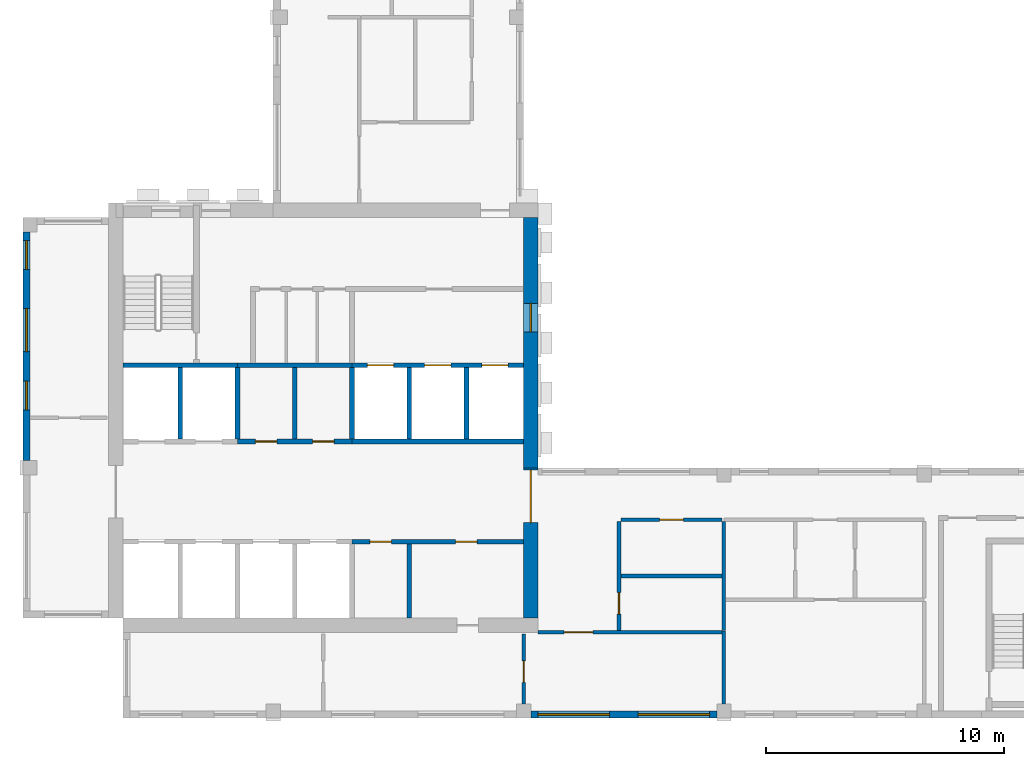
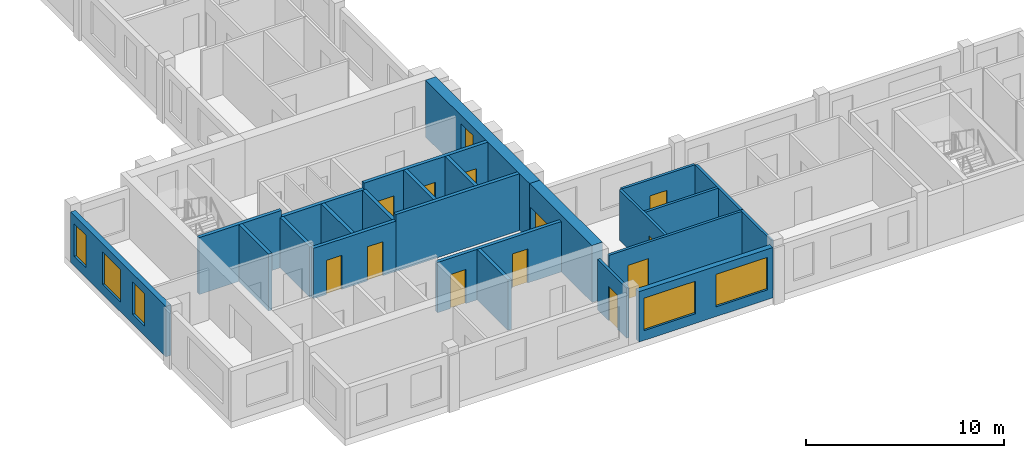
# One storey, part 2 of 10: 24 walls, 12 doors, 6 windows, 18 openings.
"""IFC4 building model written with IfcOpenShell, lengths in metres."""

from ifc_helpers import new_model, si_unit, direction, frame, frame_2d, origin, place, context, subcontext, project, spatial, rectangle, extrude, source, transform, mapped, material, layer, layer_set, type_object, element, fill, save


model = new_model("IFC4")

# Units and contexts
model_context = context("Model", 3, precision=1e-05, world=origin(), true_north=direction((0.0, 1.0)))
body_context = subcontext(model_context, "Body", "Model", "MODEL_VIEW")
ifc_project = project(units=[si_unit("LENGTHUNIT", "METRE"), si_unit("AREAUNIT", "SQUARE_METRE"), si_unit("VOLUMEUNIT", "CUBIC_METRE"), si_unit("PLANEANGLEUNIT", "RADIAN"), si_unit("MASSUNIT", "GRAM", prefix="KILO")], contexts=[model_context])

# Site, building, storey
site_placement = place(None, origin())
site = spatial("IfcSite", under=ifc_project, at=site_placement, CompositionType="ELEMENT")
building_placement = place(site_placement, origin())
building = spatial("IfcBuilding", under=site, at=building_placement, Name="Aurelian Terraces", CompositionType="ELEMENT")
storey_placement = place(building_placement, frame((0.0, 0.0, 358.0)))
storey = spatial("IfcBuildingStorey", under=building, at=storey_placement, Name="L85", CompositionType="ELEMENT", Elevation=358.0)

# Wall, opening, door
ifc_material_1 = material(Name="Gypsum board on steel studs", Category="steel")
ifc_layer_1 = layer(ifc_material_1, 0.15)
ifc_layer_set_1 = layer_set([ifc_layer_1], Name="Partition 150")
wall_type_1 = type_object("IfcWallType", Name="Partition 150", PredefinedType="PARTITIONING", material=ifc_layer_set_1)
wall_1_placement = place(storey_placement, frame((21.0, 3.525, 0.0), z_axis=(0.0, 0.0, 1.0), x_axis=(0.0, -1.0, 0.0)))
wall_1 = element("IfcWall", 1, at=wall_1_placement, inside=storey, type_object=wall_type_1, Name="Partition", PredefinedType="PARTITIONING", context=body_context, shape_type="SweptSolid", body=[
    extrude(rectangle(XDim=2.926, YDim=0.15, at=frame_2d((1.463, 0.0))), origin(), (0.0, 0.0, 1.0), 3.1),
])
shared_shape_1 = source(origin(), body_context, "Body", "SweptSolid", [
    extrude(rectangle(XDim=0.9, YDim=2.1, at=frame_2d((0.45, 1.05))), frame((0.0, 0.085, 0.0), z_axis=(0.0, -1.0, 0.0), x_axis=(1.0, 0.0, 0.0)), (0.0, 0.0, 1.0), 0.17),
])
opening_1_placement = place(wall_1_placement, frame((1.125, 0.0, 0.0)))
opening_1 = element("IfcOpeningElement", 2, at=opening_1_placement, cuts=wall_1, Name="Opening 785004", PredefinedType="OPENING", context=body_context, shape_type="MappedRepresentation", body=[
    mapped(shared_shape_1, transform((0.0, 0.0, 0.0), scale=1.0)),
])
ifc_material_2 = material(Name="Timber door leaf", Category="wood")
door_type_1 = type_object("IfcDoorType", Name="Room door 900x2100 right", OperationType="SINGLE_SWING_RIGHT", PredefinedType="DOOR", material=ifc_material_2)
shared_shape_2 = source(origin(), body_context, "Body", "SweptSolid", [
    extrude(rectangle(XDim=0.9, YDim=2.1, at=frame_2d((0.45, 1.05))), frame((0.0, 0.025, 0.0), z_axis=(0.0, -1.0, 0.0), x_axis=(1.0, 0.0, 0.0)), (0.0, 0.0, 1.0), 0.05),
])
door_1_placement = place(opening_1_placement, origin())
door_1 = element("IfcDoor", 3, at=door_1_placement, inside=storey, type_object=door_type_1, Name="Door 785004", OperationType="SINGLE_SWING_RIGHT", OverallHeight=2.1, OverallWidth=0.9, PredefinedType="DOOR", context=body_context, shape_type="MappedRepresentation", body=[
    mapped(shared_shape_2, transform((0.0, 0.0, 0.0), scale=1.0)),
])
fill(opening_1, door_1)

ifc_material_3 = material(Name="Concrete fc' 55 MPa", Category="concrete")
ifc_layer_2 = layer(ifc_material_3, 0.6)
ifc_layer_set_2 = layer_set([ifc_layer_2], Name="CORE WALL 600 FC55")
wall_type_2 = type_object("IfcWallType", Name="CORE WALL 600 FC55", PredefinedType="SHEAR", material=ifc_layer_set_2)
shared_shape_3 = source(origin(), body_context, "Body", "SweptSolid", [
    extrude(rectangle(XDim=6.3, YDim=0.6, at=frame_2d((3.15, 0.0))), origin(), (0.0, 0.0, 1.0), 3.5),
])
wall_2_placement = place(storey_placement, frame((21.3, 4.2, 0.0), z_axis=(0.0, 0.0, 1.0), x_axis=(0.0, 1.0, 0.0)))
wall_2 = element("IfcWall", 4, at=wall_2_placement, inside=storey, type_object=wall_type_2, Name="Core wall E L85", PredefinedType="SHEAR", context=body_context, shape_type="MappedRepresentation", body=[
    mapped(shared_shape_3, transform((0.0, 0.0, 0.0), scale=1.0)),
])
shared_shape_4 = source(origin(), body_context, "Body", "SweptSolid", [
    extrude(rectangle(XDim=2.2, YDim=2.1, at=frame_2d((1.1, 1.05))), frame((0.0, 0.31, 0.0), z_axis=(0.0, -1.0, 0.0), x_axis=(1.0, 0.0, 0.0)), (0.0, 0.0, 1.0), 0.62),
])
opening_2_placement = place(wall_2_placement, frame((4.0, 0.0, 0.0)))
opening_2 = element("IfcOpeningElement", 5, at=opening_2_placement, cuts=wall_2, Name="Opening 68824", PredefinedType="OPENING", context=body_context, shape_type="MappedRepresentation", body=[
    mapped(shared_shape_4, transform((0.0, 0.0, 0.0), scale=1.0)),
])
ifc_material_4 = material(Name="Steel door leaf", Category="steel")
door_type_2 = type_object("IfcDoorType", Name="Core double door 2200x2100", OperationType="DOUBLE_DOOR_SINGLE_SWING", PredefinedType="DOOR", material=ifc_material_4)
shared_shape_5 = source(origin(), body_context, "Body", "SweptSolid", [
    extrude(rectangle(XDim=2.2, YDim=2.1, at=frame_2d((1.1, 1.05))), frame((0.0, 0.025, 0.0), z_axis=(0.0, -1.0, 0.0), x_axis=(1.0, 0.0, 0.0)), (0.0, 0.0, 1.0), 0.05),
])
door_2_placement = place(opening_2_placement, origin())
door_2 = element("IfcDoor", 6, at=door_2_placement, inside=storey, type_object=door_type_2, Name="Core door 68824", OperationType="DOUBLE_DOOR_SINGLE_SWING", OverallHeight=2.1, OverallWidth=2.2, PredefinedType="DOOR", context=body_context, shape_type="MappedRepresentation", body=[
    mapped(shared_shape_5, transform((0.0, 0.0, 0.0), scale=1.0)),
])
fill(opening_2, door_2)

# Wall, opening, window
shared_shape_6 = source(origin(), body_context, "Body", "SweptSolid", [
    extrude(rectangle(XDim=10.5, YDim=0.6, at=frame_2d((5.25, 0.0))), origin(), (0.0, 0.0, 1.0), 3.5),
])
wall_3_placement = place(storey_placement, frame((21.3, 10.5, 0.0), z_axis=(0.0, 0.0, 1.0), x_axis=(0.0, 1.0, 0.0)))
wall_3 = element("IfcWall", 7, at=wall_3_placement, inside=storey, type_object=wall_type_2, Name="Core wall E L85 exposed", PredefinedType="SHEAR", context=body_context, shape_type="MappedRepresentation", body=[
    mapped(shared_shape_6, transform((0.0, 0.0, 0.0), scale=1.0)),
])
shared_shape_7 = source(origin(), body_context, "Body", "SweptSolid", [
    extrude(rectangle(XDim=1.2, YDim=2.4, at=frame_2d((0.6, 1.2))), frame((0.0, 0.31, 0.0), z_axis=(0.0, -1.0, 0.0), x_axis=(1.0, 0.0, 0.0)), (0.0, 0.0, 1.0), 0.62),
])
opening_3_placement = place(wall_3_placement, frame((5.7, 0.0, 0.6)))
opening_3 = element("IfcOpeningElement", 8, at=opening_3_placement, cuts=wall_3, Name="Opening W-CL", PredefinedType="OPENING", context=body_context, shape_type="MappedRepresentation", body=[
    mapped(shared_shape_7, transform((0.0, 0.0, 0.0), scale=1.0)),
])
ifc_material_5 = material(Name="Fire-resisting glazing", Category="glass")
window_type_1 = type_object("IfcWindowType", Name="Core lobby window 1200x2400", PartitioningType="SINGLE_PANEL", PredefinedType="WINDOW", material=ifc_material_5)
shared_shape_8 = source(origin(), body_context, "Body", "SweptSolid", [
    extrude(rectangle(XDim=1.2, YDim=2.4, at=frame_2d((0.6, 1.2))), frame((0.0, 0.03, 0.0), z_axis=(0.0, -1.0, 0.0), x_axis=(1.0, 0.0, 0.0)), (0.0, 0.0, 1.0), 0.06),
])
window_1_placement = place(opening_3_placement, origin())
window_1 = element("IfcWindow", 9, at=window_1_placement, inside=storey, type_object=window_type_1, Name="Lobby window L85 E64", OverallHeight=2.4, OverallWidth=1.2, PartitioningType="SINGLE_PANEL", PredefinedType="WINDOW", context=body_context, shape_type="MappedRepresentation", body=[
    mapped(shared_shape_8, transform((0.0, 0.0, 0.0), scale=1.0)),
])
fill(opening_3, window_1)

# Wall, openings, windows
ifc_material_6 = material(Name="Terracotta rainscreen cladding", Category="masonry")
ifc_layer_3 = layer(ifc_material_6, 0.3)
ifc_layer_set_3 = layer_set([ifc_layer_3], Name="EW-300")
wall_type_3 = type_object("IfcWallType", Name="EW-300", PredefinedType="STANDARD", material=ifc_layer_set_3)
shared_shape_9 = source(origin(), body_context, "Body", "SweptSolid", [
    extrude(rectangle(XDim=7.8, YDim=0.3, at=frame_2d((3.9, 0.0))), origin(), (0.0, 0.0, 1.0), 3.1),
])
wall_4_placement = place(storey_placement, frame((21.3, 0.15, 0.0), z_axis=(0.0, 0.0, 1.0), x_axis=(1.0, 0.0, 0.0)))
wall_4 = element("IfcWall", 10, at=wall_4_placement, inside=storey, type_object=wall_type_3, Name="External wall L85 F01.3", PredefinedType="STANDARD", context=body_context, shape_type="MappedRepresentation", body=[
    mapped(shared_shape_9, transform((0.0, 0.0, 0.0), scale=1.0)),
])
shared_shape_10 = source(origin(), body_context, "Body", "SweptSolid", [
    extrude(rectangle(XDim=3.0, YDim=2.0, at=frame_2d((1.5, 1.0))), frame((0.0, 0.16, 0.0), z_axis=(0.0, -1.0, 0.0), x_axis=(1.0, 0.0, 0.0)), (0.0, 0.0, 1.0), 0.32),
])
opening_4_placement = place(wall_4_placement, frame((0.3, 0.0, 0.6)))
opening_4 = element("IfcOpeningElement", 11, at=opening_4_placement, cuts=wall_4, Name="Opening W3020", PredefinedType="OPENING", context=body_context, shape_type="MappedRepresentation", body=[
    mapped(shared_shape_10, transform((0.0, 0.0, 0.0), scale=1.0)),
])
opening_5_placement = place(wall_4_placement, frame((4.5, 0.0, 0.6)))
opening_5 = element("IfcOpeningElement", 12, at=opening_5_placement, cuts=wall_4, Name="Opening W3020", PredefinedType="OPENING", context=body_context, shape_type="MappedRepresentation", body=[
    mapped(shared_shape_10, transform((0.0, 0.0, 0.0), scale=1.0)),
])
ifc_material_7 = material(Name="Clear glazing", Category="glass")
window_type_2 = type_object("IfcWindowType", Name="W-3000x2000", PartitioningType="SINGLE_PANEL", PredefinedType="WINDOW", material=ifc_material_7)
shared_shape_11 = source(origin(), body_context, "Body", "SweptSolid", [
    extrude(rectangle(XDim=3.0, YDim=2.0, at=frame_2d((1.5, 1.0))), frame((0.0, 0.03, 0.0), z_axis=(0.0, -1.0, 0.0), x_axis=(1.0, 0.0, 0.0)), (0.0, 0.0, 1.0), 0.06),
])
window_2_placement = place(opening_4_placement, origin())
window_2 = element("IfcWindow", 13, at=window_2_placement, inside=storey, type_object=window_type_2, Name="Window L85 L85-F01-03-0", OverallHeight=2.0, OverallWidth=3.0, PartitioningType="SINGLE_PANEL", PredefinedType="WINDOW", context=body_context, shape_type="MappedRepresentation", body=[
    mapped(shared_shape_11, transform((0.0, 0.0, 0.0), scale=1.0)),
])
fill(opening_4, window_2)
window_3_placement = place(opening_5_placement, origin())
window_3 = element("IfcWindow", 14, at=window_3_placement, inside=storey, type_object=window_type_2, Name="Window L85 L85-F01-03-1", OverallHeight=2.0, OverallWidth=3.0, PartitioningType="SINGLE_PANEL", PredefinedType="WINDOW", context=body_context, shape_type="MappedRepresentation", body=[
    mapped(shared_shape_11, transform((0.0, 0.0, 0.0), scale=1.0)),
])
fill(opening_5, window_3)

shared_shape_12 = source(origin(), body_context, "Body", "SweptSolid", [
    extrude(rectangle(XDim=9.6, YDim=0.3, at=frame_2d((4.8, 0.0))), origin(), (0.0, 0.0, 1.0), 3.1),
])
wall_5_placement = place(storey_placement, frame((0.15, 20.4, 0.0), z_axis=(0.0, 0.0, 1.0), x_axis=(0.0, -1.0, 0.0)))
wall_5 = element("IfcWall", 15, at=wall_5_placement, inside=storey, type_object=wall_type_3, Name="External wall L85 F12.22", PredefinedType="STANDARD", context=body_context, shape_type="MappedRepresentation", body=[
    mapped(shared_shape_12, transform((0.0, 0.0, 0.0), scale=1.0)),
])
shared_shape_13 = source(origin(), body_context, "Body", "SweptSolid", [
    extrude(rectangle(XDim=1.2, YDim=2.0, at=frame_2d((0.6, 1.0))), frame((0.0, 0.16, 0.0), z_axis=(0.0, -1.0, 0.0), x_axis=(1.0, 0.0, 0.0)), (0.0, 0.0, 1.0), 0.32),
])
opening_6_placement = place(wall_5_placement, frame((0.375, 0.0, 0.6)))
opening_6 = element("IfcOpeningElement", 16, at=opening_6_placement, cuts=wall_5, Name="Opening W1220", PredefinedType="OPENING", context=body_context, shape_type="MappedRepresentation", body=[
    mapped(shared_shape_13, transform((0.0, 0.0, 0.0), scale=1.0)),
])
shared_shape_14 = source(origin(), body_context, "Body", "SweptSolid", [
    extrude(rectangle(XDim=1.8, YDim=2.0, at=frame_2d((0.9, 1.0))), frame((0.0, 0.16, 0.0), z_axis=(0.0, -1.0, 0.0), x_axis=(1.0, 0.0, 0.0)), (0.0, 0.0, 1.0), 0.32),
])
opening_7_placement = place(wall_5_placement, frame((3.225, 0.0, 0.6)))
opening_7 = element("IfcOpeningElement", 17, at=opening_7_placement, cuts=wall_5, Name="Opening W1820", PredefinedType="OPENING", context=body_context, shape_type="MappedRepresentation", body=[
    mapped(shared_shape_14, transform((0.0, 0.0, 0.0), scale=1.0)),
])
opening_8_placement = place(wall_5_placement, frame((6.2688, 0.0, 0.6)))
opening_8 = element("IfcOpeningElement", 18, at=opening_8_placement, cuts=wall_5, Name="Opening W1220", PredefinedType="OPENING", context=body_context, shape_type="MappedRepresentation", body=[
    mapped(shared_shape_13, transform((0.0, 0.0, 0.0), scale=1.0)),
])
window_type_3 = type_object("IfcWindowType", Name="W-1200x2000", PartitioningType="SINGLE_PANEL", PredefinedType="WINDOW", material=ifc_material_7)
shared_shape_15 = source(origin(), body_context, "Body", "SweptSolid", [
    extrude(rectangle(XDim=1.2, YDim=2.0, at=frame_2d((0.6, 1.0))), frame((0.0, 0.03, 0.0), z_axis=(0.0, -1.0, 0.0), x_axis=(1.0, 0.0, 0.0)), (0.0, 0.0, 1.0), 0.06),
])
window_4_placement = place(opening_6_placement, origin())
window_4 = element("IfcWindow", 19, at=window_4_placement, inside=storey, type_object=window_type_3, Name="Window L85 L85-F12-22-0", OverallHeight=2.0, OverallWidth=1.2, PartitioningType="SINGLE_PANEL", PredefinedType="WINDOW", context=body_context, shape_type="MappedRepresentation", body=[
    mapped(shared_shape_15, transform((0.0, 0.0, 0.0), scale=1.0)),
])
fill(opening_6, window_4)
window_5_placement = place(opening_8_placement, origin())
window_5 = element("IfcWindow", 20, at=window_5_placement, inside=storey, type_object=window_type_3, Name="Window L85 L85-F12-22-G0-56", OverallHeight=2.0, OverallWidth=1.2, PartitioningType="SINGLE_PANEL", PredefinedType="WINDOW", context=body_context, shape_type="MappedRepresentation", body=[
    mapped(shared_shape_15, transform((0.0, 0.0, 0.0), scale=1.0)),
])
fill(opening_8, window_5)
window_type_4 = type_object("IfcWindowType", Name="W-1800x2000", PartitioningType="SINGLE_PANEL", PredefinedType="WINDOW", material=ifc_material_7)
shared_shape_16 = source(origin(), body_context, "Body", "SweptSolid", [
    extrude(rectangle(XDim=1.8, YDim=2.0, at=frame_2d((0.9, 1.0))), frame((0.0, 0.03, 0.0), z_axis=(0.0, -1.0, 0.0), x_axis=(1.0, 0.0, 0.0)), (0.0, 0.0, 1.0), 0.06),
])
window_6_placement = place(opening_7_placement, origin())
window_6 = element("IfcWindow", 21, at=window_6_placement, inside=storey, type_object=window_type_4, Name="Window L85 L85-F12-22-1", OverallHeight=2.0, OverallWidth=1.8, PartitioningType="SINGLE_PANEL", PredefinedType="WINDOW", context=body_context, shape_type="MappedRepresentation", body=[
    mapped(shared_shape_16, transform((0.0, 0.0, 0.0), scale=1.0)),
])
fill(opening_7, window_6)

# Walls
ifc_material_8 = material(Name="Concrete fc' 40 MPa", Category="concrete")
ifc_layer_4 = layer(ifc_material_8, 0.2)
ifc_layer_set_4 = layer_set([ifc_layer_4], Name="Lift shaft wall 200")
wall_type_4 = type_object("IfcWallType", Name="Lift shaft wall 200", PredefinedType="SOLIDWALL", material=ifc_layer_set_4)
shared_shape_17 = source(origin(), body_context, "Body", "SweptSolid", [
    extrude(rectangle(XDim=3.0, YDim=0.2, at=frame_2d((1.5, 0.0))), origin(), (0.0, 0.0, 1.0), 3.1),
])
for number, where, z_axis, x_axis, name in (
    (22, (9.0, 11.7, 0.0), (0.0, 0.0, 1.0), (0.0, 1.0, 0.0), "L85 core wall CD-B2"),
    (23, (13.8, 11.7, 0.0), (0.0, 0.0, 1.0), (0.0, 1.0, 0.0), "L85 core wall CD-B4"),
):
    element("IfcWall", number, at=place(storey_placement, frame(where, z_axis=z_axis, x_axis=x_axis)), inside=storey, type_object=wall_type_4, Name=name, PredefinedType="SOLIDWALL", context=body_context, shape_type="MappedRepresentation", body=[
        mapped(shared_shape_17, transform((0.0, 0.0, 0.0), scale=1.0)),
    ])
shared_shape_18 = source(origin(), body_context, "Body", "SweptSolid", [
    extrude(rectangle(XDim=3.0, YDim=0.2, at=frame_2d((1.5, 0.0))), origin(), (0.0, 0.0, 1.0), 3.5),
])
for number, where, z_axis, x_axis, name in (
    (24, (6.6, 11.7, 0.0), (0.0, 0.0, 1.0), (0.0, 1.0, 0.0), "L85 core wall CD-B1"),
    (25, (16.2, 11.7, 0.0), (0.0, 0.0, 1.0), (0.0, 1.0, 0.0), "L85 core wall CD-B5"),
    (26, (18.6, 11.7, 0.0), (0.0, 0.0, 1.0), (0.0, 1.0, 0.0), "L85 core wall CD-B6"),
):
    element("IfcWall", number, at=place(storey_placement, frame(where, z_axis=z_axis, x_axis=x_axis)), inside=storey, type_object=wall_type_4, Name=name, PredefinedType="SOLIDWALL", context=body_context, shape_type="MappedRepresentation", body=[
        mapped(shared_shape_18, transform((0.0, 0.0, 0.0), scale=1.0)),
    ])
shared_shape_19 = source(origin(), body_context, "Body", "SweptSolid", [
    extrude(rectangle(XDim=4.8, YDim=0.2, at=frame_2d((2.4, 0.0))), origin(), (0.0, 0.0, 1.0), 3.5),
])
wall_6_placement = place(storey_placement, frame((4.2, 14.8, 0.0), z_axis=(0.0, 0.0, 1.0), x_axis=(1.0, 0.0, 0.0)))
element("IfcWall", 27, at=wall_6_placement, inside=storey, type_object=wall_type_4, Name="L85 core wall CF-BB1", PredefinedType="SOLIDWALL", context=body_context, shape_type="MappedRepresentation", body=[
    mapped(shared_shape_19, transform((0.0, 0.0, 0.0), scale=1.0)),
])

# Wall, openings, doors
shared_shape_20 = source(origin(), body_context, "Body", "SweptSolid", [
    extrude(rectangle(XDim=4.8, YDim=0.2, at=frame_2d((2.4, 0.0))), origin(), (0.0, 0.0, 1.0), 3.1),
])
wall_7_placement = place(storey_placement, frame((9.0, 11.6, 0.0), z_axis=(0.0, 0.0, 1.0), x_axis=(1.0, 0.0, 0.0)))
wall_7 = element("IfcWall", 28, at=wall_7_placement, inside=storey, type_object=wall_type_4, Name="L85 core wall CF-BF2", PredefinedType="SOLIDWALL", context=body_context, shape_type="MappedRepresentation", body=[
    mapped(shared_shape_20, transform((0.0, 0.0, 0.0), scale=1.0)),
])
shared_shape_21 = source(origin(), body_context, "Body", "SweptSolid", [
    extrude(rectangle(XDim=0.9, YDim=2.1, at=frame_2d((0.45, 1.05))), frame((0.0, 0.11, 0.0), z_axis=(0.0, -1.0, 0.0), x_axis=(1.0, 0.0, 0.0)), (0.0, 0.0, 1.0), 0.22),
])
opening_9_placement = place(wall_7_placement, frame((0.75, 0.0, 0.0)))
opening_9 = element("IfcOpeningElement", 29, at=opening_9_placement, cuts=wall_7, Name="Opening 68808", PredefinedType="OPENING", context=body_context, shape_type="MappedRepresentation", body=[
    mapped(shared_shape_21, transform((0.0, 0.0, 0.0), scale=1.0)),
])
opening_10_placement = place(wall_7_placement, frame((3.15, 0.0, 0.0)))
opening_10 = element("IfcOpeningElement", 30, at=opening_10_placement, cuts=wall_7, Name="Opening 68809", PredefinedType="OPENING", context=body_context, shape_type="MappedRepresentation", body=[
    mapped(shared_shape_21, transform((0.0, 0.0, 0.0), scale=1.0)),
])
door_type_3 = type_object("IfcDoorType", Name="Core service door 900x2100", OperationType="SINGLE_SWING_LEFT", PredefinedType="DOOR", material=ifc_material_4)
door_3_placement = place(opening_9_placement, origin())
door_3 = element("IfcDoor", 31, at=door_3_placement, inside=storey, type_object=door_type_3, Name="Room door 68808", OperationType="SINGLE_SWING_LEFT", OverallHeight=2.1, OverallWidth=0.9, PredefinedType="DOOR", context=body_context, shape_type="MappedRepresentation", body=[
    mapped(shared_shape_2, transform((0.0, 0.0, 0.0), scale=1.0)),
])
fill(opening_9, door_3)
door_type_4 = type_object("IfcDoorType", Name="Core service door 900x2100 right", OperationType="SINGLE_SWING_RIGHT", PredefinedType="DOOR", material=ifc_material_4)
door_4_placement = place(opening_10_placement, origin())
door_4 = element("IfcDoor", 32, at=door_4_placement, inside=storey, type_object=door_type_4, Name="Room door 68809", OperationType="SINGLE_SWING_RIGHT", OverallHeight=2.1, OverallWidth=0.9, PredefinedType="DOOR", context=body_context, shape_type="MappedRepresentation", body=[
    mapped(shared_shape_2, transform((0.0, 0.0, 0.0), scale=1.0)),
])
fill(opening_10, door_4)

# Walls
wall_8_placement = place(storey_placement, frame((9.0, 14.8, 0.0), z_axis=(0.0, 0.0, 1.0), x_axis=(1.0, 0.0, 0.0)))
element("IfcWall", 33, at=wall_8_placement, inside=storey, type_object=wall_type_4, Name="L85 core wall CF-BB2", PredefinedType="SOLIDWALL", context=body_context, shape_type="MappedRepresentation", body=[
    mapped(shared_shape_20, transform((0.0, 0.0, 0.0), scale=1.0)),
])
shared_shape_22 = source(origin(), body_context, "Body", "SweptSolid", [
    extrude(rectangle(XDim=7.2, YDim=0.2, at=frame_2d((3.6, 0.0))), origin(), (0.0, 0.0, 1.0), 3.5),
])
wall_9_placement = place(storey_placement, frame((13.8, 11.6, 0.0), z_axis=(0.0, 0.0, 1.0), x_axis=(1.0, 0.0, 0.0)))
element("IfcWall", 34, at=wall_9_placement, inside=storey, type_object=wall_type_4, Name="L85 core wall CF-BF3", PredefinedType="SOLIDWALL", context=body_context, shape_type="MappedRepresentation", body=[
    mapped(shared_shape_22, transform((0.0, 0.0, 0.0), scale=1.0)),
])

# Wall, openings, doors
wall_10_placement = place(storey_placement, frame((13.8, 14.8, 0.0), z_axis=(0.0, 0.0, 1.0), x_axis=(1.0, 0.0, 0.0)))
wall_10 = element("IfcWall", 35, at=wall_10_placement, inside=storey, type_object=wall_type_4, Name="L85 core wall CF-BB3", PredefinedType="SOLIDWALL", context=body_context, shape_type="MappedRepresentation", body=[
    mapped(shared_shape_22, transform((0.0, 0.0, 0.0), scale=1.0)),
])
shared_shape_23 = source(origin(), body_context, "Body", "SweptSolid", [
    extrude(rectangle(XDim=1.1, YDim=2.1, at=frame_2d((0.55, 1.05))), frame((0.0, 0.11, 0.0), z_axis=(0.0, -1.0, 0.0), x_axis=(1.0, 0.0, 0.0)), (0.0, 0.0, 1.0), 0.22),
])
opening_11_placement = place(wall_10_placement, frame((0.65, 0.0, 0.0)))
opening_11 = element("IfcOpeningElement", 36, at=opening_11_placement, cuts=wall_10, Name="Opening 68810", PredefinedType="OPENING", context=body_context, shape_type="MappedRepresentation", body=[
    mapped(shared_shape_23, transform((0.0, 0.0, 0.0), scale=1.0)),
])
opening_12_placement = place(wall_10_placement, frame((3.05, 0.0, 0.0)))
opening_12 = element("IfcOpeningElement", 37, at=opening_12_placement, cuts=wall_10, Name="Opening 68811", PredefinedType="OPENING", context=body_context, shape_type="MappedRepresentation", body=[
    mapped(shared_shape_23, transform((0.0, 0.0, 0.0), scale=1.0)),
])
opening_13_placement = place(wall_10_placement, frame((5.45, 0.0, 0.0)))
opening_13 = element("IfcOpeningElement", 38, at=opening_13_placement, cuts=wall_10, Name="Opening 68812", PredefinedType="OPENING", context=body_context, shape_type="MappedRepresentation", body=[
    mapped(shared_shape_23, transform((0.0, 0.0, 0.0), scale=1.0)),
])
ifc_material_9 = material(Name="Stainless steel", Category="steel")
door_type_5 = type_object("IfcDoorType", Name="Lift landing door 1100x2100", OperationType="SLIDING_TO_LEFT", PredefinedType="DOOR", material=ifc_material_9)
shared_shape_24 = source(origin(), body_context, "Body", "SweptSolid", [
    extrude(rectangle(XDim=1.1, YDim=2.1, at=frame_2d((0.55, 1.05))), frame((0.0, 0.025, 0.0), z_axis=(0.0, -1.0, 0.0), x_axis=(1.0, 0.0, 0.0)), (0.0, 0.0, 1.0), 0.05),
])
door_5_placement = place(opening_11_placement, origin())
door_5 = element("IfcDoor", 39, at=door_5_placement, inside=storey, type_object=door_type_5, Name="Lift landing door F1 L85", OperationType="SLIDING_TO_LEFT", OverallHeight=2.1, OverallWidth=1.1, PredefinedType="DOOR", context=body_context, shape_type="MappedRepresentation", body=[
    mapped(shared_shape_24, transform((0.0, 0.0, 0.0), scale=1.0)),
])
fill(opening_11, door_5)
door_6_placement = place(opening_12_placement, origin())
door_6 = element("IfcDoor", 40, at=door_6_placement, inside=storey, type_object=door_type_5, Name="Lift landing door F2 L85", OperationType="SLIDING_TO_LEFT", OverallHeight=2.1, OverallWidth=1.1, PredefinedType="DOOR", context=body_context, shape_type="MappedRepresentation", body=[
    mapped(shared_shape_24, transform((0.0, 0.0, 0.0), scale=1.0)),
])
fill(opening_12, door_6)
door_7_placement = place(opening_13_placement, origin())
door_7 = element("IfcDoor", 41, at=door_7_placement, inside=storey, type_object=door_type_5, Name="Lift landing door F3 L85", OperationType="SLIDING_TO_LEFT", OverallHeight=2.1, OverallWidth=1.1, PredefinedType="DOOR", context=body_context, shape_type="MappedRepresentation", body=[
    mapped(shared_shape_24, transform((0.0, 0.0, 0.0), scale=1.0)),
])
fill(opening_13, door_7)

# Walls
ifc_layer_5 = layer(ifc_material_1, 0.2)
ifc_layer_set_5 = layer_set([ifc_layer_5], Name="Core partition 200")
wall_type_5 = type_object("IfcWallType", Name="Core partition 200", PredefinedType="PARTITIONING", material=ifc_layer_set_5)
shared_shape_25 = source(origin(), body_context, "Body", "SweptSolid", [
    extrude(rectangle(XDim=3.0, YDim=0.2, at=frame_2d((1.5, 0.0))), origin(), (0.0, 0.0, 1.0), 3.1),
])
wall_11_placement = place(storey_placement, frame((11.4, 11.7, 0.0), z_axis=(0.0, 0.0, 1.0), x_axis=(0.0, 1.0, 0.0)))
element("IfcWall", 42, at=wall_11_placement, inside=storey, type_object=wall_type_5, Name="L85 core wall CS-B3", PredefinedType="PARTITIONING", context=body_context, shape_type="MappedRepresentation", body=[
    mapped(shared_shape_25, transform((0.0, 0.0, 0.0), scale=1.0)),
])
shared_shape_26 = source(origin(), body_context, "Body", "SweptSolid", [
    extrude(rectangle(XDim=3.1, YDim=0.2, at=frame_2d((1.55, 0.0))), origin(), (0.0, 0.0, 1.0), 3.1),
])
wall_12_placement = place(storey_placement, frame((16.2, 4.2, 0.0), z_axis=(0.0, 0.0, 1.0), x_axis=(0.0, 1.0, 0.0)))
element("IfcWall", 43, at=wall_12_placement, inside=storey, type_object=wall_type_5, Name="L85 core wall CS-A5", PredefinedType="PARTITIONING", context=body_context, shape_type="MappedRepresentation", body=[
    mapped(shared_shape_26, transform((0.0, 0.0, 0.0), scale=1.0)),
])

# Wall, openings, doors
shared_shape_27 = source(origin(), body_context, "Body", "SweptSolid", [
    extrude(rectangle(XDim=7.2, YDim=0.2, at=frame_2d((3.6, 0.0))), origin(), (0.0, 0.0, 1.0), 3.1),
])
wall_13_placement = place(storey_placement, frame((13.8, 7.4, 0.0), z_axis=(0.0, 0.0, 1.0), x_axis=(1.0, 0.0, 0.0)))
wall_13 = element("IfcWall", 44, at=wall_13_placement, inside=storey, type_object=wall_type_4, Name="L85 core wall CF-AF2", PredefinedType="SOLIDWALL", context=body_context, shape_type="MappedRepresentation", body=[
    mapped(shared_shape_27, transform((0.0, 0.0, 0.0), scale=1.0)),
])
opening_14_placement = place(wall_13_placement, frame((0.75, 0.0, 0.0)))
opening_14 = element("IfcOpeningElement", 45, at=opening_14_placement, cuts=wall_13, Name="Opening 68804", PredefinedType="OPENING", context=body_context, shape_type="MappedRepresentation", body=[
    mapped(shared_shape_21, transform((0.0, 0.0, 0.0), scale=1.0)),
])
opening_15_placement = place(wall_13_placement, frame((4.35, 0.0, 0.0)))
opening_15 = element("IfcOpeningElement", 46, at=opening_15_placement, cuts=wall_13, Name="Opening 68805", PredefinedType="OPENING", context=body_context, shape_type="MappedRepresentation", body=[
    mapped(shared_shape_21, transform((0.0, 0.0, 0.0), scale=1.0)),
])
door_8_placement = place(opening_14_placement, origin())
door_8 = element("IfcDoor", 47, at=door_8_placement, inside=storey, type_object=door_type_3, Name="Room door 68804", OperationType="SINGLE_SWING_LEFT", OverallHeight=2.1, OverallWidth=0.9, PredefinedType="DOOR", context=body_context, shape_type="MappedRepresentation", body=[
    mapped(shared_shape_2, transform((0.0, 0.0, 0.0), scale=1.0)),
])
fill(opening_14, door_8)
door_9_placement = place(opening_15_placement, origin())
door_9 = element("IfcDoor", 48, at=door_9_placement, inside=storey, type_object=door_type_4, Name="Room door 68805", OperationType="SINGLE_SWING_RIGHT", OverallHeight=2.1, OverallWidth=0.9, PredefinedType="DOOR", context=body_context, shape_type="MappedRepresentation", body=[
    mapped(shared_shape_2, transform((0.0, 0.0, 0.0), scale=1.0)),
])
fill(opening_15, door_9)

# Wall, opening, door
shared_shape_28 = source(origin(), body_context, "Body", "SweptSolid", [
    extrude(rectangle(XDim=4.575, YDim=0.15, at=frame_2d((2.2875, 0.0))), origin(), (0.0, 0.0, 1.0), 3.1),
])
wall_14_placement = place(storey_placement, frame((25.0, 8.25, 0.0), z_axis=(0.0, 0.0, 1.0), x_axis=(0.0, -1.0, 0.0)))
wall_14 = element("IfcWall", 49, at=wall_14_placement, inside=storey, type_object=wall_type_1, Name="Partition", PredefinedType="PARTITIONING", context=body_context, shape_type="MappedRepresentation", body=[
    mapped(shared_shape_28, transform((0.0, 0.0, 0.0), scale=1.0)),
])
opening_16_placement = place(wall_14_placement, frame((2.981, 0.0, 0.0)))
opening_16 = element("IfcOpeningElement", 50, at=opening_16_placement, cuts=wall_14, Name="Opening 785002", PredefinedType="OPENING", context=body_context, shape_type="MappedRepresentation", body=[
    mapped(shared_shape_1, transform((0.0, 0.0, 0.0), scale=1.0)),
])
door_type_6 = type_object("IfcDoorType", Name="Room door 900x2100 left", OperationType="SINGLE_SWING_LEFT", PredefinedType="DOOR", material=ifc_material_2)
door_10_placement = place(opening_16_placement, origin())
door_10 = element("IfcDoor", 51, at=door_10_placement, inside=storey, type_object=door_type_6, Name="Door 785002", OperationType="SINGLE_SWING_LEFT", OverallHeight=2.1, OverallWidth=0.9, PredefinedType="DOOR", context=body_context, shape_type="MappedRepresentation", body=[
    mapped(shared_shape_2, transform((0.0, 0.0, 0.0), scale=1.0)),
])
fill(opening_16, door_10)

# Wall
wall_15_placement = place(storey_placement, frame((29.4, 3.675, 0.0), z_axis=(0.0, 0.0, 1.0), x_axis=(0.0, 1.0, 0.0)))
element("IfcWall", 52, at=wall_15_placement, inside=storey, type_object=wall_type_1, Name="Partition", PredefinedType="PARTITIONING", context=body_context, shape_type="MappedRepresentation", body=[
    mapped(shared_shape_28, transform((0.0, 0.0, 0.0), scale=1.0)),
])

# Wall, opening, door
shared_shape_29 = source(origin(), body_context, "Body", "SweptSolid", [
    extrude(rectangle(XDim=7.725, YDim=0.15, at=frame_2d((3.8625, 0.0))), origin(), (0.0, 0.0, 1.0), 3.1),
])
wall_16_placement = place(storey_placement, frame((21.6, 3.6, 0.0), z_axis=(0.0, 0.0, 1.0), x_axis=(1.0, 0.0, 0.0)))
wall_16 = element("IfcWall", 53, at=wall_16_placement, inside=storey, type_object=wall_type_1, Name="Partition", PredefinedType="PARTITIONING", context=body_context, shape_type="MappedRepresentation", body=[
    mapped(shared_shape_29, transform((0.0, 0.0, 0.0), scale=1.0)),
])
shared_shape_30 = source(origin(), body_context, "Body", "SweptSolid", [
    extrude(rectangle(XDim=1.2, YDim=2.1, at=frame_2d((0.6, 1.05))), frame((0.0, 0.085, 0.0), z_axis=(0.0, -1.0, 0.0), x_axis=(1.0, 0.0, 0.0)), (0.0, 0.0, 1.0), 0.17),
])
opening_17_placement = place(wall_16_placement, frame((1.1, 0.0, 0.0)))
opening_17 = element("IfcOpeningElement", 54, at=opening_17_placement, cuts=wall_16, Name="Opening 785005", PredefinedType="OPENING", context=body_context, shape_type="MappedRepresentation", body=[
    mapped(shared_shape_30, transform((0.0, 0.0, 0.0), scale=1.0)),
])
door_type_7 = type_object("IfcDoorType", Name="Room door 1200x2100 left", OperationType="SINGLE_SWING_LEFT", PredefinedType="DOOR", material=ifc_material_2)
shared_shape_31 = source(origin(), body_context, "Body", "SweptSolid", [
    extrude(rectangle(XDim=1.2, YDim=2.1, at=frame_2d((0.6, 1.05))), frame((0.0, 0.025, 0.0), z_axis=(0.0, -1.0, 0.0), x_axis=(1.0, 0.0, 0.0)), (0.0, 0.0, 1.0), 0.05),
])
door_11_placement = place(opening_17_placement, origin())
door_11 = element("IfcDoor", 55, at=door_11_placement, inside=storey, type_object=door_type_7, Name="Door 785005", OperationType="SINGLE_SWING_LEFT", OverallHeight=2.1, OverallWidth=1.2, PredefinedType="DOOR", context=body_context, shape_type="MappedRepresentation", body=[
    mapped(shared_shape_31, transform((0.0, 0.0, 0.0), scale=1.0)),
])
fill(opening_17, door_11)

# Wall
ifc_layer_6 = layer(ifc_material_1, 0.15)
ifc_layer_set_6 = layer_set([ifc_layer_6], Name="Fire partition 150")
wall_type_6 = type_object("IfcWallType", Name="Fire partition 150", PredefinedType="PARTITIONING", material=ifc_layer_set_6)
shared_shape_32 = source(origin(), body_context, "Body", "SweptSolid", [
    extrude(rectangle(XDim=3.056, YDim=0.15, at=frame_2d((1.528, 0.0))), origin(), (0.0, 0.0, 1.0), 3.1),
])
wall_17_placement = place(storey_placement, frame((29.4, 0.599, 0.0), z_axis=(0.0, 0.0, 1.0), x_axis=(0.0, 1.0, 0.0)))
element("IfcWall", 56, at=wall_17_placement, inside=storey, type_object=wall_type_6, Name="Party wall", PredefinedType="PARTITIONING", context=body_context, shape_type="MappedRepresentation", body=[
    mapped(shared_shape_32, transform((0.0, 0.0, 0.0), scale=1.0)),
])

# Wall, opening, door
shared_shape_33 = source(origin(), body_context, "Body", "SweptSolid", [
    extrude(rectangle(XDim=4.25, YDim=0.15, at=frame_2d((2.125, 0.0))), origin(), (0.0, 0.0, 1.0), 3.1),
])
wall_18_placement = place(storey_placement, frame((29.325, 8.325, 0.0), z_axis=(0.0, 0.0, 1.0), x_axis=(-1.0, 0.0, 0.0)))
wall_18 = element("IfcWall", 57, at=wall_18_placement, inside=storey, type_object=wall_type_6, Name="Corridor wall", PredefinedType="PARTITIONING", context=body_context, shape_type="MappedRepresentation", body=[
    mapped(shared_shape_33, transform((0.0, 0.0, 0.0), scale=1.0)),
])
shared_shape_34 = source(origin(), body_context, "Body", "SweptSolid", [
    extrude(rectangle(XDim=1.0, YDim=2.1, at=frame_2d((0.5, 1.05))), frame((0.0, 0.085, 0.0), z_axis=(0.0, -1.0, 0.0), x_axis=(1.0, 0.0, 0.0)), (0.0, 0.0, 1.0), 0.17),
])
opening_18_placement = place(wall_18_placement, frame((1.625, 0.0, 0.0)))
opening_18 = element("IfcOpeningElement", 58, at=opening_18_placement, cuts=wall_18, Name="Opening 785001", PredefinedType="OPENING", context=body_context, shape_type="MappedRepresentation", body=[
    mapped(shared_shape_34, transform((0.0, 0.0, 0.0), scale=1.0)),
])
door_type_8 = type_object("IfcDoorType", Name="Entrance fire door 1000x2100 right", OperationType="SINGLE_SWING_RIGHT", PredefinedType="DOOR", material=ifc_material_4)
shared_shape_35 = source(origin(), body_context, "Body", "SweptSolid", [
    extrude(rectangle(XDim=1.0, YDim=2.1, at=frame_2d((0.5, 1.05))), frame((0.0, 0.025, 0.0), z_axis=(0.0, -1.0, 0.0), x_axis=(1.0, 0.0, 0.0)), (0.0, 0.0, 1.0), 0.05),
])
door_12_placement = place(opening_18_placement, origin())
door_12 = element("IfcDoor", 59, at=door_12_placement, inside=storey, type_object=door_type_8, Name="Door 785001", OperationType="SINGLE_SWING_RIGHT", OverallHeight=2.1, OverallWidth=1.0, PredefinedType="DOOR", context=body_context, shape_type="MappedRepresentation", body=[
    mapped(shared_shape_35, transform((0.0, 0.0, 0.0), scale=1.0)),
])
fill(opening_18, door_12)

# Wall
wall_19_placement = place(storey_placement, frame((29.325, 5.963, 0.0), z_axis=(0.0, 0.0, 1.0), x_axis=(-1.0, 0.0, 0.0)))
element("IfcWall", 60, at=wall_19_placement, inside=storey, type_object=wall_type_1, Name="Partition", PredefinedType="PARTITIONING", context=body_context, shape_type="MappedRepresentation", body=[
    mapped(shared_shape_33, transform((0.0, 0.0, 0.0), scale=1.0)),
])

save(model, "model.ifc")
